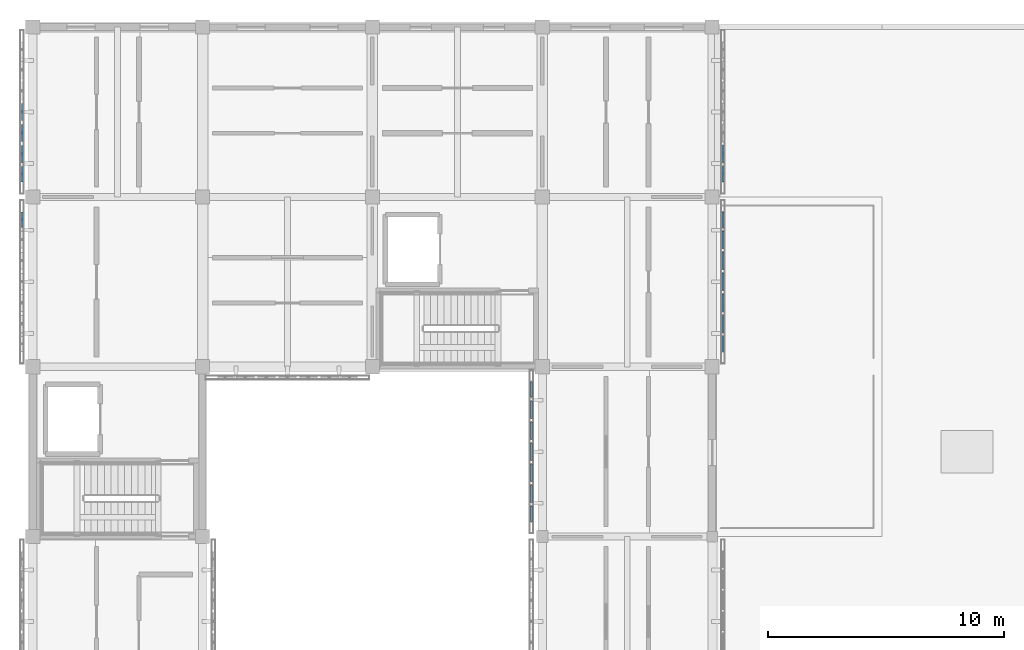
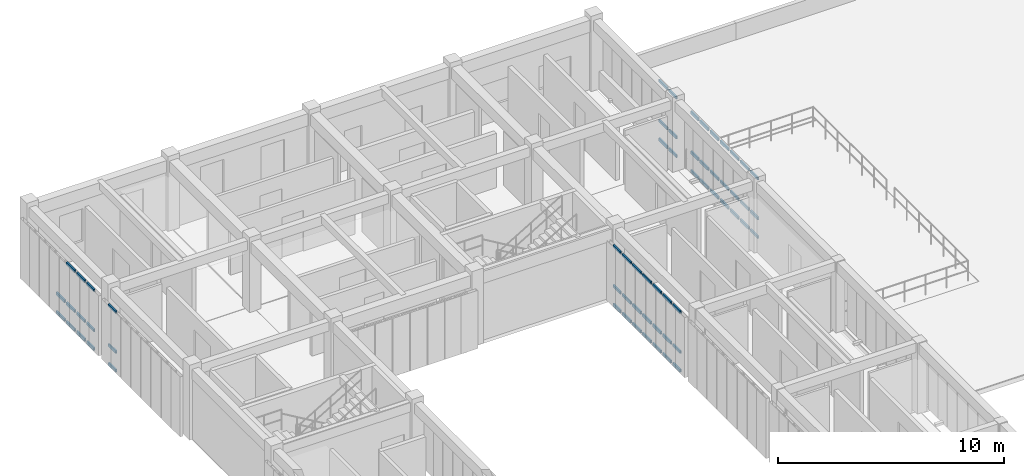
# One storey, part 24 of 67: 62 members, 5 elements without a shape of their own.
"""IFC4 building model written with IfcOpenShell, lengths in metres."""

from ifc_helpers import new_model, si_unit, direction, frame, origin, origin_2d, place, context, subcontext, project, spatial, hollow_rectangle, extrude, material, material_profile, profile_set, type_object, element, aggregate, save


model = new_model("IFC4")

# Units and contexts
model_context = context("Model", 3, precision=1e-05, world=origin(), true_north=direction((0.0, 1.0)))
body_context = subcontext(model_context, "Body", "Model", "MODEL_VIEW")
ifc_project = project(units=[si_unit("LENGTHUNIT", "METRE"), si_unit("AREAUNIT", "SQUARE_METRE"), si_unit("VOLUMEUNIT", "CUBIC_METRE"), si_unit("PLANEANGLEUNIT", "RADIAN"), si_unit("MASSUNIT", "GRAM", prefix="KILO")], contexts=[model_context])

# Site, building, storey
site_placement = place(None, origin())
site = spatial("IfcSite", under=ifc_project, at=site_placement, CompositionType="ELEMENT")
building_placement = place(site_placement, origin())
building = spatial("IfcBuilding", under=site, at=building_placement, Name="Aldebral Square Health Centre", CompositionType="ELEMENT")
storey_placement = place(building_placement, frame((0.0, 0.0, 13.5)))
storey = spatial("IfcBuildingStorey", under=building, at=storey_placement, Name="L03", CompositionType="ELEMENT", Elevation=13.5)

# Curtain wall, members
ifc_material_1 = material(Name="Aluminium and low-E solar glass", Category="aluminium")
curtain_wall_type = type_object("IfcCurtainWallType", Name="CW-FIN-SYS", PredefinedType="USERDEFINED", material=ifc_material_1)
curtain_wall_1_placement = place(storey_placement, origin())
curtain_wall_1 = element("IfcCurtainWall", 1, at=curtain_wall_1_placement, inside=storey, type_object=curtain_wall_type, Name="L03 V4 finned curtain wall L03-V4-00-14-W", ObjectType="SOLAR_CURTAIN_WALL", PredefinedType="USERDEFINED")
ifc_material_2 = material(Name="Anodised aluminium transom", Category="aluminium")
ifc_material_profile = material_profile(ifc_material_2, hollow_rectangle(XDim=0.074951171875, YDim=0.14990234375, WallThickness=0.00390625, at=origin_2d()), Name="CWT 75x150x4")
ifc_profile_set = profile_set([ifc_material_profile], Name="Anodised aluminium transom")
member_type = type_object("IfcMemberType", Name="CWT-STD", PredefinedType="USERDEFINED", material=ifc_profile_set)
member_1_placement = place(storey_placement, frame((-0.4599609375, 107.360107421875, 0.03759765625), z_axis=(0.0, -1.0, 0.0), x_axis=(1.0, 0.0, 0.0)))
member_1 = element("IfcMember", 2, at=member_1_placement, type_object=member_type, Name="CW1 transom 1.1", ObjectType="TRANSOM", PredefinedType="USERDEFINED", context=body_context, shape_type="SweptSolid", body=[
    extrude(hollow_rectangle(XDim=0.074951171875, YDim=0.14990234375, WallThickness=0.00390625, at=origin_2d()), origin(), (0.0, 0.0, 1.0), 0.651611328125),
])
member_2_placement = place(storey_placement, frame((-0.4599609375, 107.360107421875, 1.050048828125), z_axis=(0.0, -1.0, 0.0), x_axis=(1.0, 0.0, 0.0)))
member_2 = element("IfcMember", 3, at=member_2_placement, type_object=member_type, Name="CW1 transom 1.2", ObjectType="TRANSOM", PredefinedType="USERDEFINED", context=body_context, shape_type="SweptSolid", body=[
    extrude(hollow_rectangle(XDim=0.074951171875, YDim=0.14990234375, WallThickness=0.00390625, at=origin_2d()), origin(), (0.0, 0.0, 1.0), 0.651611328125),
])
member_3_placement = place(storey_placement, frame((-0.4599609375, 107.360107421875, 3.202392578125), z_axis=(0.0, -1.0, 0.0), x_axis=(1.0, 0.0, 0.0)))
member_3 = element("IfcMember", 4, at=member_3_placement, type_object=member_type, Name="CW1 transom 1.3", ObjectType="TRANSOM", PredefinedType="USERDEFINED", context=body_context, shape_type="SweptSolid", body=[
    extrude(hollow_rectangle(XDim=0.074951171875, YDim=0.14990234375, WallThickness=0.00390625, at=origin_2d()), origin(), (0.0, 0.0, 1.0), 0.651611328125),
])
aggregate(curtain_wall_1, [member_1, member_2, member_3])

curtain_wall_2_placement = place(storey_placement, origin())
curtain_wall_2 = element("IfcCurtainWall", 5, at=curtain_wall_2_placement, inside=storey, type_object=curtain_wall_type, Name="L03 V4 finned curtain wall L03-V4-00-15-W", ObjectType="SOLAR_CURTAIN_WALL", PredefinedType="USERDEFINED")
member_4_placement = place(storey_placement, frame((-0.4599609375, 111.9658203125, 0.03759765625), z_axis=(0.0, -1.0, 0.0), x_axis=(1.0, 0.0, 0.0)))
member_4 = element("IfcMember", 6, at=member_4_placement, type_object=member_type, Name="CW1 transom 4.1", ObjectType="TRANSOM", PredefinedType="USERDEFINED", context=body_context, shape_type="SweptSolid", body=[
    extrude(hollow_rectangle(XDim=0.074951171875, YDim=0.14990234375, WallThickness=0.00390625, at=origin_2d()), origin(), (0.0, 0.0, 1.0), 0.7314453125),
])
member_5_placement = place(storey_placement, frame((-0.4599609375, 111.9658203125, 1.050048828125), z_axis=(0.0, -1.0, 0.0), x_axis=(1.0, 0.0, 0.0)))
member_5 = element("IfcMember", 7, at=member_5_placement, type_object=member_type, Name="CW1 transom 4.2", ObjectType="TRANSOM", PredefinedType="USERDEFINED", context=body_context, shape_type="SweptSolid", body=[
    extrude(hollow_rectangle(XDim=0.074951171875, YDim=0.14990234375, WallThickness=0.00390625, at=origin_2d()), origin(), (0.0, 0.0, 1.0), 0.7314453125),
])
member_6_placement = place(storey_placement, frame((-0.4599609375, 111.07421875, 0.03759765625), z_axis=(0.0, -1.0, 0.0), x_axis=(1.0, 0.0, 0.0)))
member_6 = element("IfcMember", 8, at=member_6_placement, type_object=member_type, Name="CW1 transom 5.1", ObjectType="TRANSOM", PredefinedType="USERDEFINED", context=body_context, shape_type="SweptSolid", body=[
    extrude(hollow_rectangle(XDim=0.074951171875, YDim=0.14990234375, WallThickness=0.00390625, at=origin_2d()), origin(), (0.0, 0.0, 1.0), 0.7314453125),
])
member_7_placement = place(storey_placement, frame((-0.4599609375, 111.07421875, 1.050048828125), z_axis=(0.0, -1.0, 0.0), x_axis=(1.0, 0.0, 0.0)))
member_7 = element("IfcMember", 9, at=member_7_placement, type_object=member_type, Name="CW1 transom 5.2", ObjectType="TRANSOM", PredefinedType="USERDEFINED", context=body_context, shape_type="SweptSolid", body=[
    extrude(hollow_rectangle(XDim=0.074951171875, YDim=0.14990234375, WallThickness=0.00390625, at=origin_2d()), origin(), (0.0, 0.0, 1.0), 0.7314453125),
])
member_8_placement = place(storey_placement, frame((-0.4599609375, 111.07421875, 3.202392578125), z_axis=(0.0, -1.0, 0.0), x_axis=(1.0, 0.0, 0.0)))
member_8 = element("IfcMember", 10, at=member_8_placement, type_object=member_type, Name="CW1 transom 5.3", ObjectType="TRANSOM", PredefinedType="USERDEFINED", context=body_context, shape_type="SweptSolid", body=[
    extrude(hollow_rectangle(XDim=0.074951171875, YDim=0.14990234375, WallThickness=0.00390625, at=origin_2d()), origin(), (0.0, 0.0, 1.0), 0.7314453125),
])
member_9_placement = place(storey_placement, frame((-0.4599609375, 110.182861328125, 0.03759765625), z_axis=(0.0, -1.0, 0.0), x_axis=(1.0, 0.0, 0.0)))
member_9 = element("IfcMember", 11, at=member_9_placement, type_object=member_type, Name="CW1 transom 6.1", ObjectType="TRANSOM", PredefinedType="USERDEFINED", context=body_context, shape_type="SweptSolid", body=[
    extrude(hollow_rectangle(XDim=0.074951171875, YDim=0.14990234375, WallThickness=0.00390625, at=origin_2d()), origin(), (0.0, 0.0, 1.0), 0.7314453125),
])
member_10_placement = place(storey_placement, frame((-0.4599609375, 110.182861328125, 1.050048828125), z_axis=(0.0, -1.0, 0.0), x_axis=(1.0, 0.0, 0.0)))
member_10 = element("IfcMember", 12, at=member_10_placement, type_object=member_type, Name="CW1 transom 6.2", ObjectType="TRANSOM", PredefinedType="USERDEFINED", context=body_context, shape_type="SweptSolid", body=[
    extrude(hollow_rectangle(XDim=0.074951171875, YDim=0.14990234375, WallThickness=0.00390625, at=origin_2d()), origin(), (0.0, 0.0, 1.0), 0.7314453125),
])
member_11_placement = place(storey_placement, frame((-0.4599609375, 110.182861328125, 3.202392578125), z_axis=(0.0, -1.0, 0.0), x_axis=(1.0, 0.0, 0.0)))
member_11 = element("IfcMember", 13, at=member_11_placement, type_object=member_type, Name="CW1 transom 6.3", ObjectType="TRANSOM", PredefinedType="USERDEFINED", context=body_context, shape_type="SweptSolid", body=[
    extrude(hollow_rectangle(XDim=0.074951171875, YDim=0.14990234375, WallThickness=0.00390625, at=origin_2d()), origin(), (0.0, 0.0, 1.0), 0.7314453125),
])
member_12_placement = place(storey_placement, frame((-0.4599609375, 109.29150390625, 0.03759765625), z_axis=(0.0, -1.0, 0.0), x_axis=(1.0, 0.0, 0.0)))
member_12 = element("IfcMember", 14, at=member_12_placement, type_object=member_type, Name="CW1 transom 7.1", ObjectType="TRANSOM", PredefinedType="USERDEFINED", context=body_context, shape_type="SweptSolid", body=[
    extrude(hollow_rectangle(XDim=0.074951171875, YDim=0.14990234375, WallThickness=0.00390625, at=origin_2d()), origin(), (0.0, 0.0, 1.0), 0.651611328125),
])
member_13_placement = place(storey_placement, frame((-0.4599609375, 109.29150390625, 1.050048828125), z_axis=(0.0, -1.0, 0.0), x_axis=(1.0, 0.0, 0.0)))
member_13 = element("IfcMember", 15, at=member_13_placement, type_object=member_type, Name="CW1 transom 7.2", ObjectType="TRANSOM", PredefinedType="USERDEFINED", context=body_context, shape_type="SweptSolid", body=[
    extrude(hollow_rectangle(XDim=0.074951171875, YDim=0.14990234375, WallThickness=0.00390625, at=origin_2d()), origin(), (0.0, 0.0, 1.0), 0.651611328125),
])
member_14_placement = place(storey_placement, frame((-0.4599609375, 109.29150390625, 3.202392578125), z_axis=(0.0, -1.0, 0.0), x_axis=(1.0, 0.0, 0.0)))
member_14 = element("IfcMember", 16, at=member_14_placement, type_object=member_type, Name="CW1 transom 7.3", ObjectType="TRANSOM", PredefinedType="USERDEFINED", context=body_context, shape_type="SweptSolid", body=[
    extrude(hollow_rectangle(XDim=0.074951171875, YDim=0.14990234375, WallThickness=0.00390625, at=origin_2d()), origin(), (0.0, 0.0, 1.0), 0.651611328125),
])
aggregate(curtain_wall_2, [member_4, member_5, member_6, member_7, member_8, member_9, member_10, member_11, member_12, member_13, member_14])

curtain_wall_3_placement = place(storey_placement, origin())
curtain_wall_3 = element("IfcCurtainWall", 17, at=curtain_wall_3_placement, inside=storey, type_object=curtain_wall_type, Name="L03 V4 finned curtain wall L03-V4-03-13-W", ObjectType="SOLAR_CURTAIN_WALL", PredefinedType="USERDEFINED")
member_15_placement = place(storey_placement, frame((21.139892578125, 100.159912109375, 0.03759765625), z_axis=(0.0, -1.0, 0.0), x_axis=(1.0, 0.0, 0.0)))
member_15 = element("IfcMember", 18, at=member_15_placement, type_object=member_type, Name="CW1 transom 1.1", ObjectType="TRANSOM", PredefinedType="USERDEFINED", context=body_context, shape_type="SweptSolid", body=[
    extrude(hollow_rectangle(XDim=0.074951171875, YDim=0.14990234375, WallThickness=0.00390625, at=origin_2d()), origin(), (0.0, 0.0, 1.0), 0.6513671875),
])
member_16_placement = place(storey_placement, frame((21.139892578125, 100.159912109375, 1.050048828125), z_axis=(0.0, -1.0, 0.0), x_axis=(1.0, 0.0, 0.0)))
member_16 = element("IfcMember", 19, at=member_16_placement, type_object=member_type, Name="CW1 transom 1.2", ObjectType="TRANSOM", PredefinedType="USERDEFINED", context=body_context, shape_type="SweptSolid", body=[
    extrude(hollow_rectangle(XDim=0.074951171875, YDim=0.14990234375, WallThickness=0.00390625, at=origin_2d()), origin(), (0.0, 0.0, 1.0), 0.6513671875),
])
member_17_placement = place(storey_placement, frame((21.139892578125, 100.159912109375, 3.202392578125), z_axis=(0.0, -1.0, 0.0), x_axis=(1.0, 0.0, 0.0)))
member_17 = element("IfcMember", 20, at=member_17_placement, type_object=member_type, Name="CW1 transom 1.3", ObjectType="TRANSOM", PredefinedType="USERDEFINED", context=body_context, shape_type="SweptSolid", body=[
    extrude(hollow_rectangle(XDim=0.074951171875, YDim=0.14990234375, WallThickness=0.00390625, at=origin_2d()), origin(), (0.0, 0.0, 1.0), 0.6513671875),
])
member_18_placement = place(storey_placement, frame((21.139892578125, 99.3486328125, 0.03759765625), z_axis=(0.0, -1.0, 0.0), x_axis=(1.0, 0.0, 0.0)))
member_18 = element("IfcMember", 21, at=member_18_placement, type_object=member_type, Name="CW1 transom 2.1", ObjectType="TRANSOM", PredefinedType="USERDEFINED", context=body_context, shape_type="SweptSolid", body=[
    extrude(hollow_rectangle(XDim=0.074951171875, YDim=0.14990234375, WallThickness=0.00390625, at=origin_2d()), origin(), (0.0, 0.0, 1.0), 0.7314453125),
])
member_19_placement = place(storey_placement, frame((21.139892578125, 99.3486328125, 1.050048828125), z_axis=(0.0, -1.0, 0.0), x_axis=(1.0, 0.0, 0.0)))
member_19 = element("IfcMember", 22, at=member_19_placement, type_object=member_type, Name="CW1 transom 2.2", ObjectType="TRANSOM", PredefinedType="USERDEFINED", context=body_context, shape_type="SweptSolid", body=[
    extrude(hollow_rectangle(XDim=0.074951171875, YDim=0.14990234375, WallThickness=0.00390625, at=origin_2d()), origin(), (0.0, 0.0, 1.0), 0.7314453125),
])
member_20_placement = place(storey_placement, frame((21.139892578125, 99.3486328125, 3.202392578125), z_axis=(0.0, -1.0, 0.0), x_axis=(1.0, 0.0, 0.0)))
member_20 = element("IfcMember", 23, at=member_20_placement, type_object=member_type, Name="CW1 transom 2.3", ObjectType="TRANSOM", PredefinedType="USERDEFINED", context=body_context, shape_type="SweptSolid", body=[
    extrude(hollow_rectangle(XDim=0.074951171875, YDim=0.14990234375, WallThickness=0.00390625, at=origin_2d()), origin(), (0.0, 0.0, 1.0), 0.7314453125),
])
member_21_placement = place(storey_placement, frame((21.139892578125, 98.45703125, 0.03759765625), z_axis=(0.0, -1.0, 0.0), x_axis=(1.0, 0.0, 0.0)))
member_21 = element("IfcMember", 24, at=member_21_placement, type_object=member_type, Name="CW1 transom 3.1", ObjectType="TRANSOM", PredefinedType="USERDEFINED", context=body_context, shape_type="SweptSolid", body=[
    extrude(hollow_rectangle(XDim=0.074951171875, YDim=0.14990234375, WallThickness=0.00390625, at=origin_2d()), origin(), (0.0, 0.0, 1.0), 0.731201171875),
])
member_22_placement = place(storey_placement, frame((21.139892578125, 98.45703125, 1.050048828125), z_axis=(0.0, -1.0, 0.0), x_axis=(1.0, 0.0, 0.0)))
member_22 = element("IfcMember", 25, at=member_22_placement, type_object=member_type, Name="CW1 transom 3.2", ObjectType="TRANSOM", PredefinedType="USERDEFINED", context=body_context, shape_type="SweptSolid", body=[
    extrude(hollow_rectangle(XDim=0.074951171875, YDim=0.14990234375, WallThickness=0.00390625, at=origin_2d()), origin(), (0.0, 0.0, 1.0), 0.731201171875),
])
member_23_placement = place(storey_placement, frame((21.139892578125, 98.45703125, 3.202392578125), z_axis=(0.0, -1.0, 0.0), x_axis=(1.0, 0.0, 0.0)))
member_23 = element("IfcMember", 26, at=member_23_placement, type_object=member_type, Name="CW1 transom 3.3", ObjectType="TRANSOM", PredefinedType="USERDEFINED", context=body_context, shape_type="SweptSolid", body=[
    extrude(hollow_rectangle(XDim=0.074951171875, YDim=0.14990234375, WallThickness=0.00390625, at=origin_2d()), origin(), (0.0, 0.0, 1.0), 0.731201171875),
])
member_24_placement = place(storey_placement, frame((21.139892578125, 97.565673828125, 0.03759765625), z_axis=(0.0, -1.0, 0.0), x_axis=(1.0, 0.0, 0.0)))
member_24 = element("IfcMember", 27, at=member_24_placement, type_object=member_type, Name="CW1 transom 4.1", ObjectType="TRANSOM", PredefinedType="USERDEFINED", context=body_context, shape_type="SweptSolid", body=[
    extrude(hollow_rectangle(XDim=0.074951171875, YDim=0.14990234375, WallThickness=0.00390625, at=origin_2d()), origin(), (0.0, 0.0, 1.0), 0.7314453125),
])
member_25_placement = place(storey_placement, frame((21.139892578125, 97.565673828125, 1.050048828125), z_axis=(0.0, -1.0, 0.0), x_axis=(1.0, 0.0, 0.0)))
member_25 = element("IfcMember", 28, at=member_25_placement, type_object=member_type, Name="CW1 transom 4.2", ObjectType="TRANSOM", PredefinedType="USERDEFINED", context=body_context, shape_type="SweptSolid", body=[
    extrude(hollow_rectangle(XDim=0.074951171875, YDim=0.14990234375, WallThickness=0.00390625, at=origin_2d()), origin(), (0.0, 0.0, 1.0), 0.7314453125),
])
member_26_placement = place(storey_placement, frame((21.139892578125, 97.565673828125, 3.202392578125), z_axis=(0.0, -1.0, 0.0), x_axis=(1.0, 0.0, 0.0)))
member_26 = element("IfcMember", 29, at=member_26_placement, type_object=member_type, Name="CW1 transom 4.3", ObjectType="TRANSOM", PredefinedType="USERDEFINED", context=body_context, shape_type="SweptSolid", body=[
    extrude(hollow_rectangle(XDim=0.074951171875, YDim=0.14990234375, WallThickness=0.00390625, at=origin_2d()), origin(), (0.0, 0.0, 1.0), 0.7314453125),
])
member_27_placement = place(storey_placement, frame((21.139892578125, 96.67431640625, 0.03759765625), z_axis=(0.0, -1.0, 0.0), x_axis=(1.0, 0.0, 0.0)))
member_27 = element("IfcMember", 30, at=member_27_placement, type_object=member_type, Name="CW1 transom 5.1", ObjectType="TRANSOM", PredefinedType="USERDEFINED", context=body_context, shape_type="SweptSolid", body=[
    extrude(hollow_rectangle(XDim=0.074951171875, YDim=0.14990234375, WallThickness=0.00390625, at=origin_2d()), origin(), (0.0, 0.0, 1.0), 0.7314453125),
])
member_28_placement = place(storey_placement, frame((21.139892578125, 96.67431640625, 1.050048828125), z_axis=(0.0, -1.0, 0.0), x_axis=(1.0, 0.0, 0.0)))
member_28 = element("IfcMember", 31, at=member_28_placement, type_object=member_type, Name="CW1 transom 5.2", ObjectType="TRANSOM", PredefinedType="USERDEFINED", context=body_context, shape_type="SweptSolid", body=[
    extrude(hollow_rectangle(XDim=0.074951171875, YDim=0.14990234375, WallThickness=0.00390625, at=origin_2d()), origin(), (0.0, 0.0, 1.0), 0.7314453125),
])
member_29_placement = place(storey_placement, frame((21.139892578125, 96.67431640625, 3.202392578125), z_axis=(0.0, -1.0, 0.0), x_axis=(1.0, 0.0, 0.0)))
member_29 = element("IfcMember", 32, at=member_29_placement, type_object=member_type, Name="CW1 transom 5.3", ObjectType="TRANSOM", PredefinedType="USERDEFINED", context=body_context, shape_type="SweptSolid", body=[
    extrude(hollow_rectangle(XDim=0.074951171875, YDim=0.14990234375, WallThickness=0.00390625, at=origin_2d()), origin(), (0.0, 0.0, 1.0), 0.7314453125),
])
member_30_placement = place(storey_placement, frame((21.139892578125, 95.782958984375, 0.03759765625), z_axis=(0.0, -1.0, 0.0), x_axis=(1.0, 0.0, 0.0)))
member_30 = element("IfcMember", 33, at=member_30_placement, type_object=member_type, Name="CW1 transom 6.1", ObjectType="TRANSOM", PredefinedType="USERDEFINED", context=body_context, shape_type="SweptSolid", body=[
    extrude(hollow_rectangle(XDim=0.074951171875, YDim=0.14990234375, WallThickness=0.00390625, at=origin_2d()), origin(), (0.0, 0.0, 1.0), 0.7314453125),
])
member_31_placement = place(storey_placement, frame((21.139892578125, 95.782958984375, 1.050048828125), z_axis=(0.0, -1.0, 0.0), x_axis=(1.0, 0.0, 0.0)))
member_31 = element("IfcMember", 34, at=member_31_placement, type_object=member_type, Name="CW1 transom 6.2", ObjectType="TRANSOM", PredefinedType="USERDEFINED", context=body_context, shape_type="SweptSolid", body=[
    extrude(hollow_rectangle(XDim=0.074951171875, YDim=0.14990234375, WallThickness=0.00390625, at=origin_2d()), origin(), (0.0, 0.0, 1.0), 0.7314453125),
])
member_32_placement = place(storey_placement, frame((21.139892578125, 95.782958984375, 3.202392578125), z_axis=(0.0, -1.0, 0.0), x_axis=(1.0, 0.0, 0.0)))
member_32 = element("IfcMember", 35, at=member_32_placement, type_object=member_type, Name="CW1 transom 6.3", ObjectType="TRANSOM", PredefinedType="USERDEFINED", context=body_context, shape_type="SweptSolid", body=[
    extrude(hollow_rectangle(XDim=0.074951171875, YDim=0.14990234375, WallThickness=0.00390625, at=origin_2d()), origin(), (0.0, 0.0, 1.0), 0.7314453125),
])
member_33_placement = place(storey_placement, frame((21.139892578125, 94.891357421875, 0.03759765625), z_axis=(0.0, -1.0, 0.0), x_axis=(1.0, 0.0, 0.0)))
member_33 = element("IfcMember", 36, at=member_33_placement, type_object=member_type, Name="CW1 transom 7.1", ObjectType="TRANSOM", PredefinedType="USERDEFINED", context=body_context, shape_type="SweptSolid", body=[
    extrude(hollow_rectangle(XDim=0.074951171875, YDim=0.14990234375, WallThickness=0.00390625, at=origin_2d()), origin(), (0.0, 0.0, 1.0), 0.6513671875),
])
member_34_placement = place(storey_placement, frame((21.139892578125, 94.891357421875, 1.050048828125), z_axis=(0.0, -1.0, 0.0), x_axis=(1.0, 0.0, 0.0)))
member_34 = element("IfcMember", 37, at=member_34_placement, type_object=member_type, Name="CW1 transom 7.2", ObjectType="TRANSOM", PredefinedType="USERDEFINED", context=body_context, shape_type="SweptSolid", body=[
    extrude(hollow_rectangle(XDim=0.074951171875, YDim=0.14990234375, WallThickness=0.00390625, at=origin_2d()), origin(), (0.0, 0.0, 1.0), 0.6513671875),
])
member_35_placement = place(storey_placement, frame((21.139892578125, 94.891357421875, 3.202392578125), z_axis=(0.0, -1.0, 0.0), x_axis=(1.0, 0.0, 0.0)))
member_35 = element("IfcMember", 38, at=member_35_placement, type_object=member_type, Name="CW1 transom 7.3", ObjectType="TRANSOM", PredefinedType="USERDEFINED", context=body_context, shape_type="SweptSolid", body=[
    extrude(hollow_rectangle(XDim=0.074951171875, YDim=0.14990234375, WallThickness=0.00390625, at=origin_2d()), origin(), (0.0, 0.0, 1.0), 0.6513671875),
])
aggregate(curtain_wall_3, [member_15, member_16, member_17, member_18, member_19, member_20, member_21, member_22, member_23, member_24, member_25, member_26, member_27, member_28, member_29, member_30, member_31, member_32, member_33, member_34, member_35])

curtain_wall_4_placement = place(storey_placement, origin())
curtain_wall_4 = element("IfcCurtainWall", 39, at=curtain_wall_4_placement, inside=storey, type_object=curtain_wall_type, Name="L03 V4 finned curtain wall L03-V4-03-14-E", ObjectType="SOLAR_CURTAIN_WALL", PredefinedType="USERDEFINED")
member_36_placement = place(storey_placement, frame((29.260009765625, 101.43994140625, 0.03759765625), z_axis=(0.0, 1.0, 0.0), x_axis=(-1.0, 0.0, 0.0)))
member_36 = element("IfcMember", 40, at=member_36_placement, type_object=member_type, Name="CW1 transom 1.1", ObjectType="TRANSOM", PredefinedType="USERDEFINED", context=body_context, shape_type="SweptSolid", body=[
    extrude(hollow_rectangle(XDim=0.074951171875, YDim=0.14990234375, WallThickness=0.00390625, at=origin_2d()), origin(), (0.0, 0.0, 1.0), 0.6513671875),
])
member_37_placement = place(storey_placement, frame((29.260009765625, 101.43994140625, 1.050048828125), z_axis=(0.0, 1.0, 0.0), x_axis=(-1.0, 0.0, 0.0)))
member_37 = element("IfcMember", 41, at=member_37_placement, type_object=member_type, Name="CW1 transom 1.2", ObjectType="TRANSOM", PredefinedType="USERDEFINED", context=body_context, shape_type="SweptSolid", body=[
    extrude(hollow_rectangle(XDim=0.074951171875, YDim=0.14990234375, WallThickness=0.00390625, at=origin_2d()), origin(), (0.0, 0.0, 1.0), 0.6513671875),
])
member_38_placement = place(storey_placement, frame((29.260009765625, 101.43994140625, 3.202392578125), z_axis=(0.0, 1.0, 0.0), x_axis=(-1.0, 0.0, 0.0)))
member_38 = element("IfcMember", 42, at=member_38_placement, type_object=member_type, Name="CW1 transom 1.3", ObjectType="TRANSOM", PredefinedType="USERDEFINED", context=body_context, shape_type="SweptSolid", body=[
    extrude(hollow_rectangle(XDim=0.074951171875, YDim=0.14990234375, WallThickness=0.00390625, at=origin_2d()), origin(), (0.0, 0.0, 1.0), 0.6513671875),
])
member_39_placement = place(storey_placement, frame((29.260009765625, 102.25146484375, 0.03759765625), z_axis=(0.0, 1.0, 0.0), x_axis=(-1.0, 0.0, 0.0)))
member_39 = element("IfcMember", 43, at=member_39_placement, type_object=member_type, Name="CW1 transom 2.1", ObjectType="TRANSOM", PredefinedType="USERDEFINED", context=body_context, shape_type="SweptSolid", body=[
    extrude(hollow_rectangle(XDim=0.074951171875, YDim=0.14990234375, WallThickness=0.00390625, at=origin_2d()), origin(), (0.0, 0.0, 1.0), 0.7314453125),
])
member_40_placement = place(storey_placement, frame((29.260009765625, 102.25146484375, 1.050048828125), z_axis=(0.0, 1.0, 0.0), x_axis=(-1.0, 0.0, 0.0)))
member_40 = element("IfcMember", 44, at=member_40_placement, type_object=member_type, Name="CW1 transom 2.2", ObjectType="TRANSOM", PredefinedType="USERDEFINED", context=body_context, shape_type="SweptSolid", body=[
    extrude(hollow_rectangle(XDim=0.074951171875, YDim=0.14990234375, WallThickness=0.00390625, at=origin_2d()), origin(), (0.0, 0.0, 1.0), 0.7314453125),
])
member_41_placement = place(storey_placement, frame((29.260009765625, 102.25146484375, 3.202392578125), z_axis=(0.0, 1.0, 0.0), x_axis=(-1.0, 0.0, 0.0)))
member_41 = element("IfcMember", 45, at=member_41_placement, type_object=member_type, Name="CW1 transom 2.3", ObjectType="TRANSOM", PredefinedType="USERDEFINED", context=body_context, shape_type="SweptSolid", body=[
    extrude(hollow_rectangle(XDim=0.074951171875, YDim=0.14990234375, WallThickness=0.00390625, at=origin_2d()), origin(), (0.0, 0.0, 1.0), 0.7314453125),
])
member_42_placement = place(storey_placement, frame((29.260009765625, 103.142822265625, 0.03759765625), z_axis=(0.0, 1.0, 0.0), x_axis=(-1.0, 0.0, 0.0)))
member_42 = element("IfcMember", 46, at=member_42_placement, type_object=member_type, Name="CW1 transom 3.1", ObjectType="TRANSOM", PredefinedType="USERDEFINED", context=body_context, shape_type="SweptSolid", body=[
    extrude(hollow_rectangle(XDim=0.074951171875, YDim=0.14990234375, WallThickness=0.00390625, at=origin_2d()), origin(), (0.0, 0.0, 1.0), 0.7314453125),
])
member_43_placement = place(storey_placement, frame((29.260009765625, 103.142822265625, 1.050048828125), z_axis=(0.0, 1.0, 0.0), x_axis=(-1.0, 0.0, 0.0)))
member_43 = element("IfcMember", 47, at=member_43_placement, type_object=member_type, Name="CW1 transom 3.2", ObjectType="TRANSOM", PredefinedType="USERDEFINED", context=body_context, shape_type="SweptSolid", body=[
    extrude(hollow_rectangle(XDim=0.074951171875, YDim=0.14990234375, WallThickness=0.00390625, at=origin_2d()), origin(), (0.0, 0.0, 1.0), 0.7314453125),
])
member_44_placement = place(storey_placement, frame((29.260009765625, 103.142822265625, 3.202392578125), z_axis=(0.0, 1.0, 0.0), x_axis=(-1.0, 0.0, 0.0)))
member_44 = element("IfcMember", 48, at=member_44_placement, type_object=member_type, Name="CW1 transom 3.3", ObjectType="TRANSOM", PredefinedType="USERDEFINED", context=body_context, shape_type="SweptSolid", body=[
    extrude(hollow_rectangle(XDim=0.074951171875, YDim=0.14990234375, WallThickness=0.00390625, at=origin_2d()), origin(), (0.0, 0.0, 1.0), 0.7314453125),
])
member_45_placement = place(storey_placement, frame((29.260009765625, 104.0341796875, 0.03759765625), z_axis=(0.0, 1.0, 0.0), x_axis=(-1.0, 0.0, 0.0)))
member_45 = element("IfcMember", 49, at=member_45_placement, type_object=member_type, Name="CW1 transom 4.1", ObjectType="TRANSOM", PredefinedType="USERDEFINED", context=body_context, shape_type="SweptSolid", body=[
    extrude(hollow_rectangle(XDim=0.074951171875, YDim=0.14990234375, WallThickness=0.00390625, at=origin_2d()), origin(), (0.0, 0.0, 1.0), 0.7314453125),
])
member_46_placement = place(storey_placement, frame((29.260009765625, 104.0341796875, 1.050048828125), z_axis=(0.0, 1.0, 0.0), x_axis=(-1.0, 0.0, 0.0)))
member_46 = element("IfcMember", 50, at=member_46_placement, type_object=member_type, Name="CW1 transom 4.2", ObjectType="TRANSOM", PredefinedType="USERDEFINED", context=body_context, shape_type="SweptSolid", body=[
    extrude(hollow_rectangle(XDim=0.074951171875, YDim=0.14990234375, WallThickness=0.00390625, at=origin_2d()), origin(), (0.0, 0.0, 1.0), 0.7314453125),
])
member_47_placement = place(storey_placement, frame((29.260009765625, 104.0341796875, 3.202392578125), z_axis=(0.0, 1.0, 0.0), x_axis=(-1.0, 0.0, 0.0)))
member_47 = element("IfcMember", 51, at=member_47_placement, type_object=member_type, Name="CW1 transom 4.3", ObjectType="TRANSOM", PredefinedType="USERDEFINED", context=body_context, shape_type="SweptSolid", body=[
    extrude(hollow_rectangle(XDim=0.074951171875, YDim=0.14990234375, WallThickness=0.00390625, at=origin_2d()), origin(), (0.0, 0.0, 1.0), 0.7314453125),
])
member_48_placement = place(storey_placement, frame((29.260009765625, 104.92578125, 0.03759765625), z_axis=(0.0, 1.0, 0.0), x_axis=(-1.0, 0.0, 0.0)))
member_48 = element("IfcMember", 52, at=member_48_placement, type_object=member_type, Name="CW1 transom 5.1", ObjectType="TRANSOM", PredefinedType="USERDEFINED", context=body_context, shape_type="SweptSolid", body=[
    extrude(hollow_rectangle(XDim=0.074951171875, YDim=0.14990234375, WallThickness=0.00390625, at=origin_2d()), origin(), (0.0, 0.0, 1.0), 0.7314453125),
])
member_49_placement = place(storey_placement, frame((29.260009765625, 104.92578125, 1.050048828125), z_axis=(0.0, 1.0, 0.0), x_axis=(-1.0, 0.0, 0.0)))
member_49 = element("IfcMember", 53, at=member_49_placement, type_object=member_type, Name="CW1 transom 5.2", ObjectType="TRANSOM", PredefinedType="USERDEFINED", context=body_context, shape_type="SweptSolid", body=[
    extrude(hollow_rectangle(XDim=0.074951171875, YDim=0.14990234375, WallThickness=0.00390625, at=origin_2d()), origin(), (0.0, 0.0, 1.0), 0.7314453125),
])
member_50_placement = place(storey_placement, frame((29.260009765625, 104.92578125, 3.202392578125), z_axis=(0.0, 1.0, 0.0), x_axis=(-1.0, 0.0, 0.0)))
member_50 = element("IfcMember", 54, at=member_50_placement, type_object=member_type, Name="CW1 transom 5.3", ObjectType="TRANSOM", PredefinedType="USERDEFINED", context=body_context, shape_type="SweptSolid", body=[
    extrude(hollow_rectangle(XDim=0.074951171875, YDim=0.14990234375, WallThickness=0.00390625, at=origin_2d()), origin(), (0.0, 0.0, 1.0), 0.7314453125),
])
member_51_placement = place(storey_placement, frame((29.260009765625, 105.817138671875, 0.03759765625), z_axis=(0.0, 1.0, 0.0), x_axis=(-1.0, 0.0, 0.0)))
member_51 = element("IfcMember", 55, at=member_51_placement, type_object=member_type, Name="CW1 transom 6.1", ObjectType="TRANSOM", PredefinedType="USERDEFINED", context=body_context, shape_type="SweptSolid", body=[
    extrude(hollow_rectangle(XDim=0.074951171875, YDim=0.14990234375, WallThickness=0.00390625, at=origin_2d()), origin(), (0.0, 0.0, 1.0), 0.7314453125),
])
member_52_placement = place(storey_placement, frame((29.260009765625, 105.817138671875, 1.050048828125), z_axis=(0.0, 1.0, 0.0), x_axis=(-1.0, 0.0, 0.0)))
member_52 = element("IfcMember", 56, at=member_52_placement, type_object=member_type, Name="CW1 transom 6.2", ObjectType="TRANSOM", PredefinedType="USERDEFINED", context=body_context, shape_type="SweptSolid", body=[
    extrude(hollow_rectangle(XDim=0.074951171875, YDim=0.14990234375, WallThickness=0.00390625, at=origin_2d()), origin(), (0.0, 0.0, 1.0), 0.7314453125),
])
member_53_placement = place(storey_placement, frame((29.260009765625, 105.817138671875, 3.202392578125), z_axis=(0.0, 1.0, 0.0), x_axis=(-1.0, 0.0, 0.0)))
member_53 = element("IfcMember", 57, at=member_53_placement, type_object=member_type, Name="CW1 transom 6.3", ObjectType="TRANSOM", PredefinedType="USERDEFINED", context=body_context, shape_type="SweptSolid", body=[
    extrude(hollow_rectangle(XDim=0.074951171875, YDim=0.14990234375, WallThickness=0.00390625, at=origin_2d()), origin(), (0.0, 0.0, 1.0), 0.7314453125),
])
member_54_placement = place(storey_placement, frame((29.260009765625, 106.70849609375, 0.03759765625), z_axis=(0.0, 1.0, 0.0), x_axis=(-1.0, 0.0, 0.0)))
member_54 = element("IfcMember", 58, at=member_54_placement, type_object=member_type, Name="CW1 transom 7.1", ObjectType="TRANSOM", PredefinedType="USERDEFINED", context=body_context, shape_type="SweptSolid", body=[
    extrude(hollow_rectangle(XDim=0.074951171875, YDim=0.14990234375, WallThickness=0.00390625, at=origin_2d()), origin(), (0.0, 0.0, 1.0), 0.651611328125),
])
member_55_placement = place(storey_placement, frame((29.260009765625, 106.70849609375, 1.050048828125), z_axis=(0.0, 1.0, 0.0), x_axis=(-1.0, 0.0, 0.0)))
member_55 = element("IfcMember", 59, at=member_55_placement, type_object=member_type, Name="CW1 transom 7.2", ObjectType="TRANSOM", PredefinedType="USERDEFINED", context=body_context, shape_type="SweptSolid", body=[
    extrude(hollow_rectangle(XDim=0.074951171875, YDim=0.14990234375, WallThickness=0.00390625, at=origin_2d()), origin(), (0.0, 0.0, 1.0), 0.651611328125),
])
member_56_placement = place(storey_placement, frame((29.260009765625, 106.70849609375, 3.202392578125), z_axis=(0.0, 1.0, 0.0), x_axis=(-1.0, 0.0, 0.0)))
member_56 = element("IfcMember", 60, at=member_56_placement, type_object=member_type, Name="CW1 transom 7.3", ObjectType="TRANSOM", PredefinedType="USERDEFINED", context=body_context, shape_type="SweptSolid", body=[
    extrude(hollow_rectangle(XDim=0.074951171875, YDim=0.14990234375, WallThickness=0.00390625, at=origin_2d()), origin(), (0.0, 0.0, 1.0), 0.651611328125),
])
aggregate(curtain_wall_4, [member_36, member_37, member_38, member_39, member_40, member_41, member_42, member_43, member_44, member_45, member_46, member_47, member_48, member_49, member_50, member_51, member_52, member_53, member_54, member_55, member_56])

curtain_wall_5_placement = place(storey_placement, origin())
curtain_wall_5 = element("IfcCurtainWall", 61, at=curtain_wall_5_placement, inside=storey, type_object=curtain_wall_type, Name="L03 V4 finned curtain wall L03-V4-03-15-E", ObjectType="SOLAR_CURTAIN_WALL", PredefinedType="USERDEFINED")
member_57_placement = place(storey_placement, frame((29.260009765625, 108.639892578125, 0.03759765625), z_axis=(0.0, 1.0, 0.0), x_axis=(-1.0, 0.0, 0.0)))
member_57 = element("IfcMember", 62, at=member_57_placement, type_object=member_type, Name="CW1 transom 1.1", ObjectType="TRANSOM", PredefinedType="USERDEFINED", context=body_context, shape_type="SweptSolid", body=[
    extrude(hollow_rectangle(XDim=0.074951171875, YDim=0.14990234375, WallThickness=0.00390625, at=origin_2d()), origin(), (0.0, 0.0, 1.0), 0.651611328125),
])
member_58_placement = place(storey_placement, frame((29.260009765625, 108.639892578125, 1.050048828125), z_axis=(0.0, 1.0, 0.0), x_axis=(-1.0, 0.0, 0.0)))
member_58 = element("IfcMember", 63, at=member_58_placement, type_object=member_type, Name="CW1 transom 1.2", ObjectType="TRANSOM", PredefinedType="USERDEFINED", context=body_context, shape_type="SweptSolid", body=[
    extrude(hollow_rectangle(XDim=0.074951171875, YDim=0.14990234375, WallThickness=0.00390625, at=origin_2d()), origin(), (0.0, 0.0, 1.0), 0.651611328125),
])
member_59_placement = place(storey_placement, frame((29.260009765625, 108.639892578125, 3.202392578125), z_axis=(0.0, 1.0, 0.0), x_axis=(-1.0, 0.0, 0.0)))
member_59 = element("IfcMember", 64, at=member_59_placement, type_object=member_type, Name="CW1 transom 1.3", ObjectType="TRANSOM", PredefinedType="USERDEFINED", context=body_context, shape_type="SweptSolid", body=[
    extrude(hollow_rectangle(XDim=0.074951171875, YDim=0.14990234375, WallThickness=0.00390625, at=origin_2d()), origin(), (0.0, 0.0, 1.0), 0.651611328125),
])
member_60_placement = place(storey_placement, frame((29.260009765625, 109.451416015625, 0.03759765625), z_axis=(0.0, 1.0, 0.0), x_axis=(-1.0, 0.0, 0.0)))
member_60 = element("IfcMember", 65, at=member_60_placement, type_object=member_type, Name="CW1 transom 2.1", ObjectType="TRANSOM", PredefinedType="USERDEFINED", context=body_context, shape_type="SweptSolid", body=[
    extrude(hollow_rectangle(XDim=0.074951171875, YDim=0.14990234375, WallThickness=0.00390625, at=origin_2d()), origin(), (0.0, 0.0, 1.0), 0.7314453125),
])
member_61_placement = place(storey_placement, frame((29.260009765625, 109.451416015625, 1.050048828125), z_axis=(0.0, 1.0, 0.0), x_axis=(-1.0, 0.0, 0.0)))
member_61 = element("IfcMember", 66, at=member_61_placement, type_object=member_type, Name="CW1 transom 2.2", ObjectType="TRANSOM", PredefinedType="USERDEFINED", context=body_context, shape_type="SweptSolid", body=[
    extrude(hollow_rectangle(XDim=0.074951171875, YDim=0.14990234375, WallThickness=0.00390625, at=origin_2d()), origin(), (0.0, 0.0, 1.0), 0.7314453125),
])
member_62_placement = place(storey_placement, frame((29.260009765625, 109.451416015625, 3.202392578125), z_axis=(0.0, 1.0, 0.0), x_axis=(-1.0, 0.0, 0.0)))
member_62 = element("IfcMember", 67, at=member_62_placement, type_object=member_type, Name="CW1 transom 2.3", ObjectType="TRANSOM", PredefinedType="USERDEFINED", context=body_context, shape_type="SweptSolid", body=[
    extrude(hollow_rectangle(XDim=0.074951171875, YDim=0.14990234375, WallThickness=0.00390625, at=origin_2d()), origin(), (0.0, 0.0, 1.0), 0.7314453125),
])
aggregate(curtain_wall_5, [member_57, member_58, member_59, member_60, member_61, member_62])

save(model, "model.ifc")
